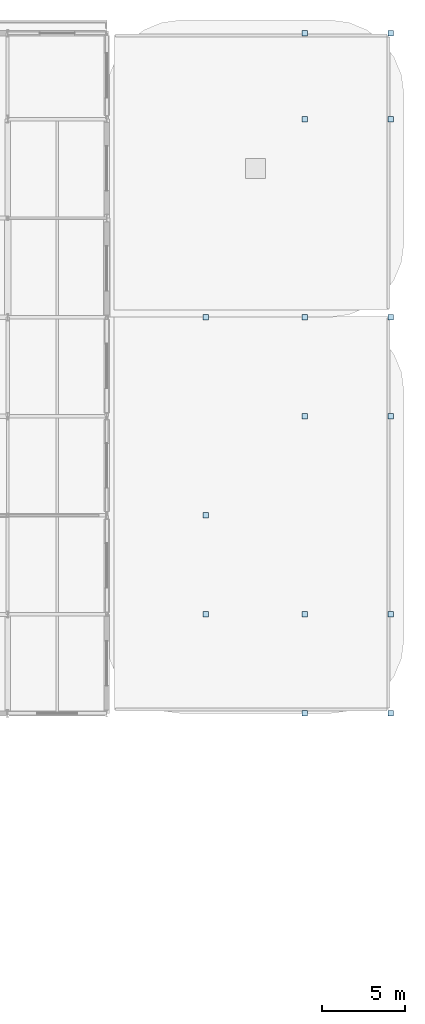
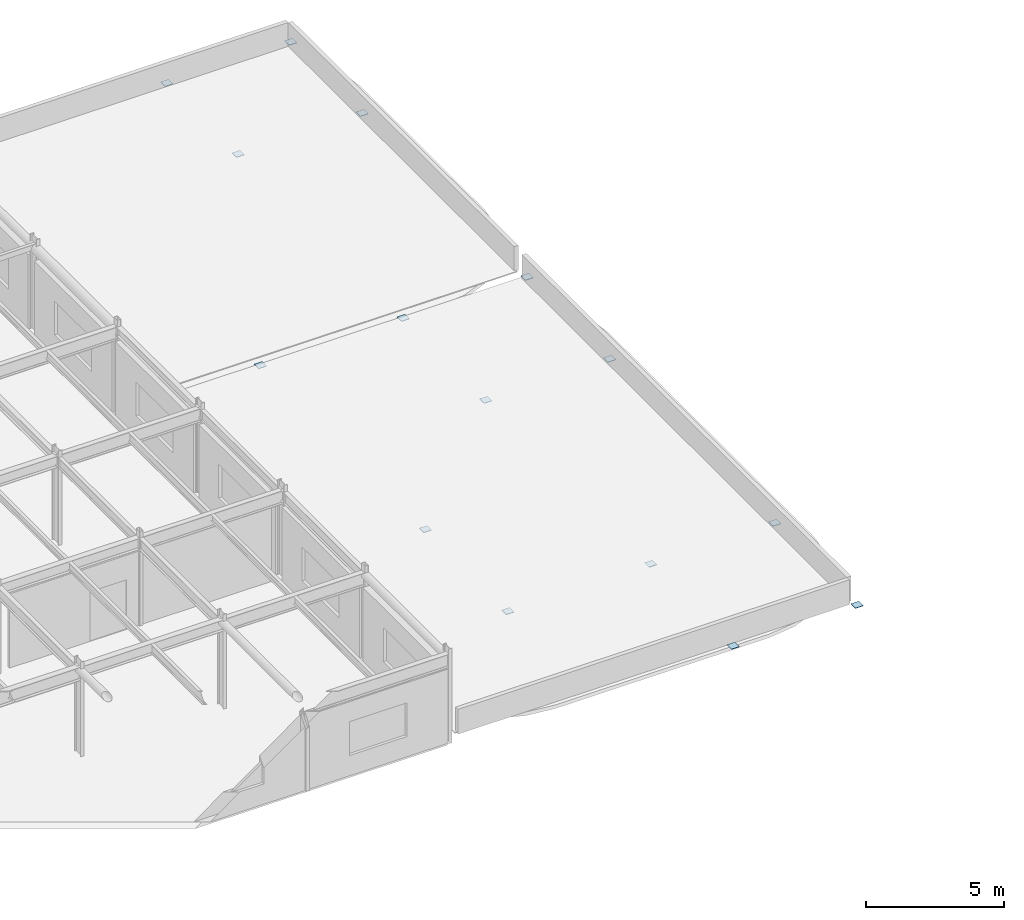
# One storey, part 84 of 116: 15 plates.
"""IFC4 building model written with IfcOpenShell, lengths in metres."""

from ifc_helpers import new_model, si_unit, direction, frame, origin, origin_2d, place, context, subcontext, project, spatial, rectangle, extrude, material, layer, layer_set, type_object, element, save


model = new_model("IFC4")

# Units and contexts
model_context = context("Model", 3, precision=1e-05, world=origin(), true_north=direction((0.0, 1.0)))
body_context = subcontext(model_context, "Body", "Model", "MODEL_VIEW")
ifc_project = project(units=[si_unit("LENGTHUNIT", "METRE"), si_unit("AREAUNIT", "SQUARE_METRE"), si_unit("VOLUMEUNIT", "CUBIC_METRE"), si_unit("PLANEANGLEUNIT", "RADIAN"), si_unit("MASSUNIT", "GRAM", prefix="KILO")], contexts=[model_context])

# Site, building, storey
site_placement = place(None, origin())
site = spatial("IfcSite", under=ifc_project, at=site_placement, CompositionType="ELEMENT")
building_placement = place(site_placement, origin())
building = spatial("IfcBuilding", under=site, at=building_placement, Name="Varnakota Square Police Headquarters", CompositionType="ELEMENT")
storey_placement = place(building_placement, frame((0.0, 0.0, 9.300048828125)))
storey = spatial("IfcBuildingStorey", under=building, at=storey_placement, Name="L02", CompositionType="ELEMENT", Elevation=9.300048828125)

# Plates
ifc_material = material(Name="Steel IS 2062 Grade 350", Category="steel")
ifc_layer = layer(ifc_material, 0.01611328125, Name="Steel IS 2062 Grade 350")
ifc_layer_set = layer_set([ifc_layer], Name="Steel IS 2062 Grade 350")
plate_type = type_object("IfcPlateType", Name="PL-CAP-16", PredefinedType="SHEET", material=ifc_layer_set)
for number, where, z_axis, x_axis, name in (
    (1, (150.0, 75.0, -0.002197265625), (0.0, 0.0, 1.0), (1.0, 0.0, 0.0), "Hollow column top cap plate CP-COL-X1500-Y0750"),
    (2, (150.0, 81.0, -0.002197265625), (0.0, 0.0, 1.0), (1.0, 0.0, 0.0), "Hollow column top cap plate CP-COL-X1500-Y0810"),
    (3, (150.0, 93.0, -0.002197265625), (0.0, 0.0, 1.0), (1.0, 0.0, 0.0), "Hollow column top cap plate CP-COL-X1500-Y0930"),
    (4, (156.0, 69.0, -0.002197265625), (0.0, 0.0, 1.0), (1.0, 0.0, 0.0), "Hollow column top cap plate CP-COL-X1560-Y0690"),
    (5, (156.0, 75.0, -0.002197265625), (0.0, 0.0, 1.0), (1.0, 0.0, 0.0), "Hollow column top cap plate CP-COL-X1560-Y0750"),
    (6, (156.0, 87.0, -0.002197265625), (0.0, 0.0, 1.0), (1.0, 0.0, 0.0), "Hollow column top cap plate CP-COL-X1560-Y0870"),
    (7, (156.0, 93.0, -0.002197265625), (0.0, 0.0, 1.0), (1.0, 0.0, 0.0), "Hollow column top cap plate CP-COL-X1560-Y0930"),
    (8, (156.0, 105.0, -0.002197265625), (0.0, 0.0, 1.0), (1.0, 0.0, 0.0), "Hollow column top cap plate CP-COL-X1560-Y1050"),
    (9, (156.0, 110.199951171875, -0.002197265625), (0.0, 0.0, 1.0), (1.0, 0.0, 0.0), "Hollow column top cap plate CP-COL-X1560-Y1102"),
    (10, (161.199951171875, 69.0, -0.002197265625), (0.0, 0.0, 1.0), (1.0, 0.0, 0.0), "Hollow column top cap plate CP-COL-X1612-Y0690"),
    (11, (161.199951171875, 75.0, -0.002197265625), (0.0, 0.0, 1.0), (1.0, 0.0, 0.0), "Hollow column top cap plate CP-COL-X1612-Y0750"),
    (12, (161.199951171875, 87.0, -0.002197265625), (0.0, 0.0, 1.0), (1.0, 0.0, 0.0), "Hollow column top cap plate CP-COL-X1612-Y0870"),
    (13, (161.199951171875, 93.0, -0.002197265625), (0.0, 0.0, 1.0), (1.0, 0.0, 0.0), "Hollow column top cap plate CP-COL-X1612-Y0930"),
    (14, (161.199951171875, 105.0, -0.002197265625), (0.0, 0.0, 1.0), (1.0, 0.0, 0.0), "Hollow column top cap plate CP-COL-X1612-Y1050"),
    (15, (161.199951171875, 110.199951171875, -0.002197265625), (0.0, 0.0, 1.0), (1.0, 0.0, 0.0), "Hollow column top cap plate CP-COL-X1612-Y1102"),
):
    element("IfcPlate", number, at=place(storey_placement, frame(where, z_axis=z_axis, x_axis=x_axis)), inside=storey, type_object=plate_type, Name=name, PredefinedType="SHEET", context=body_context, shape_type="SweptSolid", body=[
        extrude(rectangle(XDim=0.330078125, YDim=0.330078125, at=origin_2d()), origin(), (0.0, 0.0, 1.0), 0.01611328125),
    ])

save(model, "model.ifc")
